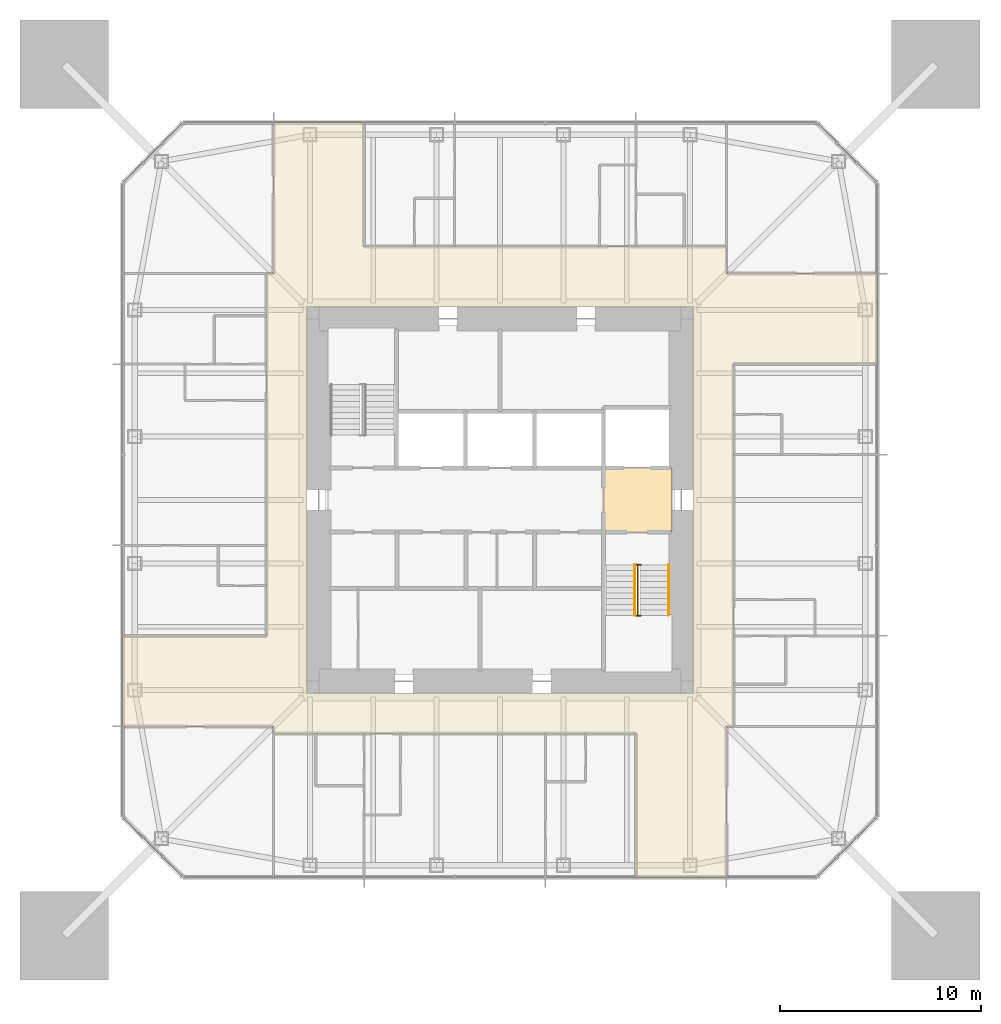
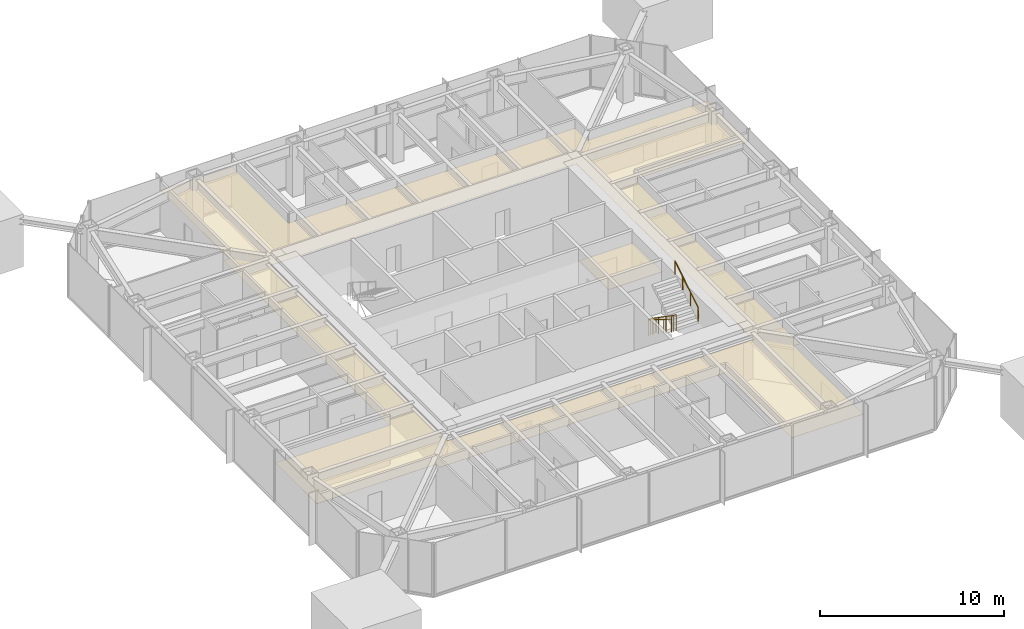
# One storey, part 10 of 11: 3 railings, 2 coverings.
"""IFC4 building model written with IfcOpenShell, lengths in metres."""

from ifc_helpers import new_model, si_unit, direction, frame, origin, origin_2d, place, context, subcontext, project, spatial, polyline, circle, outline, extrude, material, layer, layer_set, constituent, constituent_set, type_object, element, save


model = new_model("IFC4")

# Units and contexts
model_context = context("Model", 3, precision=1e-05, world=origin(), true_north=direction((0.0, 1.0)))
body_context = subcontext(model_context, "Body", "Model", "MODEL_VIEW")
ifc_project = project(units=[si_unit("LENGTHUNIT", "METRE"), si_unit("AREAUNIT", "SQUARE_METRE"), si_unit("VOLUMEUNIT", "CUBIC_METRE"), si_unit("PLANEANGLEUNIT", "RADIAN"), si_unit("MASSUNIT", "GRAM", prefix="KILO")], contexts=[model_context])

# Site, building, storey
site_placement = place(None, origin())
site = spatial("IfcSite", under=ifc_project, at=site_placement, CompositionType="ELEMENT")
building_placement = place(site_placement, origin())
building = spatial("IfcBuilding", under=site, at=building_placement, Name="Iwan Alto Co-Living Towers", CompositionType="ELEMENT")
storey_placement = place(building_placement, frame((0.0, 0.0, 174.0)))
storey = spatial("IfcBuildingStorey", under=building, at=storey_placement, Name="L47", CompositionType="ELEMENT", Elevation=174.0)

# Covering
ifc_material_1 = material(Name="Mineral fibre acoustic tiles on steel grid", Category="steel")
ifc_layer_1 = layer(ifc_material_1, 0.02001953125)
ifc_layer_set_1 = layer_set([ifc_layer_1], Name="ACOUSTIC TILE CEILING 20")
covering_type_1 = type_object("IfcCoveringType", Name="ACOUSTIC TILE CEILING 20", PredefinedType="CEILING", material=ifc_layer_set_1)
covering_1_placement = place(storey_placement, frame((0.0, 0.0, 2.60009765625)))
element("IfcCovering", 1, at=covering_1_placement, inside=storey, type_object=covering_type_1, Name="Ceiling Firefighting lobby L47", PredefinedType="CEILING", context=body_context, shape_type="SweptSolid", body=[
    extrude(outline(polyline([(5.14990234375, -1.60009765625), (5.14990234375, 1.60009765625), (8.550048828125, 1.60009765625), (8.550048828125, -1.60009765625), (5.14990234375, -1.60009765625)])), origin(), (0.0, 0.0, 1.0), 0.02001953125),
])

# Railings
ifc_material_2 = material(Name="Steel ASTM A500 Gr C", Category="steel")
ifc_constituent_1 = constituent(ifc_material_2, Name="Rails and posts", Category="Framing")
ifc_material_3 = material(Name="Steel ASTM A36", Category="steel")
ifc_constituent_2 = constituent(ifc_material_3, Name="Bar infill", Category="Infill")
ifc_constituent_set = constituent_set(constituents=[ifc_constituent_1, ifc_constituent_2], Name="STAIR GUARD 1100")
railing_type_1 = type_object("IfcRailingType", Name="STAIR GUARD 1100", PredefinedType="GUARDRAIL", material=ifc_constituent_set)
railing_1_placement = place(storey_placement, frame((6.85009765625, -3.219970703125, 0.0)))
element("IfcRailing", 2, at=railing_1_placement, inside=storey, type_object=railing_type_1, Name="Stair T1-S2 well guard L47", PredefinedType="GUARDRAIL", context=body_context, shape_type="SweptSolid", body=[
    extrude(circle(Radius=0.02392578125, at=origin_2d()), frame((0.0, 0.0, 1.076171875), z_axis=(0.0, -0.821372036852, 0.570392826987), x_axis=(1.0, 0.0, 0.0)), (0.0, 0.0, 1.0), 3.068115234375),
    extrude(circle(Radius=0.02392578125, at=origin_2d()), frame((-0.150146484375, 0.0, 1.076171875), z_axis=(1.0, 0.0, 0.0), x_axis=(0.0, 1.0, 0.0)), (0.0, 0.0, 1.0), 0.300048828125),
    extrude(circle(Radius=0.02392578125, at=origin_2d()), frame((-0.150146484375, -2.52001953125, 2.826171875), z_axis=(1.0, 0.0, 0.0), x_axis=(0.0, 1.0, 0.0)), (0.0, 0.0, 1.0), 0.300048828125),
    extrude(circle(Radius=0.02099609375, at=origin_2d()), origin(), (0.0, 0.0, 1.0), 1.052001953125),
    extrude(circle(Radius=0.02099609375, at=origin_2d()), frame((0.0, -0.840087890625, 0.583251953125)), (0.0, 0.0, 1.0), 1.052001953125),
    extrude(circle(Radius=0.02099609375, at=origin_2d()), frame((0.0, -1.679931640625, 1.166748046875)), (0.0, 0.0, 1.0), 1.052001953125),
    extrude(circle(Radius=0.02099609375, at=origin_2d()), frame((0.0, -2.52001953125, 1.75)), (0.0, 0.0, 1.0), 1.052001953125),
    extrude(circle(Radius=0.02099609375, at=origin_2d()), frame((-0.150146484375, 0.0, 0.0)), (0.0, 0.0, 1.0), 1.052001953125),
    extrude(circle(Radius=0.02099609375, at=origin_2d()), frame((0.14990234375, 0.0, 0.0)), (0.0, 0.0, 1.0), 1.052001953125),
    extrude(circle(Radius=0.02099609375, at=origin_2d()), frame((-0.150146484375, -2.52001953125, 1.75)), (0.0, 0.0, 1.0), 1.052001953125),
    extrude(circle(Radius=0.02099609375, at=origin_2d()), frame((0.14990234375, -2.52001953125, 1.75)), (0.0, 0.0, 1.0), 1.052001953125),
])
ifc_material_4 = material(Name="Steel ASTM A500 Gr C", Category="steel")
railing_type_2 = type_object("IfcRailingType", Name="STAIR HANDRAIL 900", PredefinedType="HANDRAIL", material=ifc_material_4)
railing_2_placement = place(storey_placement, frame((6.699951171875, -3.219970703125, 0.175048828125)))
element("IfcRailing", 3, at=railing_2_placement, inside=storey, type_object=railing_type_2, Name="Stair T1-S2 handrail 1 L47", PredefinedType="HANDRAIL", context=body_context, shape_type="SweptSolid", body=[
    extrude(circle(Radius=0.02392578125, at=origin_2d()), frame((0.0, 0.0, 0.8759765625), z_axis=(0.0, -0.848007534815, 0.529984170421), x_axis=(1.0, 0.0, 0.0)), (0.0, 0.0, 1.0), 2.9716796875),
    extrude(circle(Radius=0.02099609375, at=origin_2d()), origin(), (0.0, 0.0, 1.0), 0.851806640625),
    extrude(circle(Radius=0.02099609375, at=origin_2d()), frame((0.0, -0.840087890625, 0.52490234375)), (0.0, 0.0, 1.0), 0.851806640625),
    extrude(circle(Radius=0.02099609375, at=origin_2d()), frame((0.0, -1.679931640625, 1.050048828125)), (0.0, 0.0, 1.0), 0.851806640625),
    extrude(circle(Radius=0.02099609375, at=origin_2d()), frame((0.0, -2.52001953125, 1.574951171875)), (0.0, 0.0, 1.0), 0.851806640625),
])
railing_3_placement = place(storey_placement, frame((8.3798828125, -5.739990234375, 1.925048828125)))
element("IfcRailing", 4, at=railing_3_placement, inside=storey, type_object=railing_type_2, Name="Stair T1-S2 handrail 2 L47", PredefinedType="HANDRAIL", context=body_context, shape_type="SweptSolid", body=[
    extrude(circle(Radius=0.02392578125, at=origin_2d()), frame((0.0, 0.0, 0.8759765625), z_axis=(0.0, 0.848007534815, 0.529984170421), x_axis=(-1.0, 0.0, 0.0)), (0.0, 0.0, 1.0), 2.9716796875),
    extrude(circle(Radius=0.02099609375, at=origin_2d()), origin(), (0.0, 0.0, 1.0), 0.851806640625),
    extrude(circle(Radius=0.02099609375, at=origin_2d()), frame((0.0, 0.840087890625, 0.52490234375)), (0.0, 0.0, 1.0), 0.851806640625),
    extrude(circle(Radius=0.02099609375, at=origin_2d()), frame((0.0, 1.679931640625, 1.050048828125)), (0.0, 0.0, 1.0), 0.851806640625),
    extrude(circle(Radius=0.02099609375, at=origin_2d()), frame((0.0, 2.52001953125, 1.574951171875)), (0.0, 0.0, 1.0), 0.851806640625),
])

# Covering
ifc_material_5 = material(Name="Gypsum plasterboard on steel grid", Category="steel")
ifc_layer_2 = layer(ifc_material_5, 0.014892578125)
ifc_layer_set_2 = layer_set([ifc_layer_2], Name="SUSPENDED PLASTERBOARD CEILING 15")
covering_type_2 = type_object("IfcCoveringType", Name="SUSPENDED PLASTERBOARD CEILING 15", PredefinedType="CEILING", material=ifc_layer_set_2)
covering_2_placement = place(storey_placement, frame((0.0, 0.0, 2.60009765625)))
element("IfcCovering", 5, at=covering_2_placement, inside=storey, type_object=covering_type_2, Name="Ceiling Corridor L47", PredefinedType="CEILING", context=body_context, shape_type="SweptSolid", body=[
    extrude(outline(polyline([(-18.75, -11.25), (-18.75, -6.75), (-11.60009765625, -6.75), (-11.60009765625, 11.25), (-11.25, 11.25), (-11.25, 12.60009765625), (-11.25, 18.75), (-6.75, 18.75), (-6.75, 12.60009765625), (11.25, 12.60009765625), (11.25, 11.25), (11.60009765625, 11.25), (18.75, 11.25), (18.75, 6.75), (11.60009765625, 6.75), (11.60009765625, -11.25), (11.25, -11.25), (11.25, -11.60009765625), (11.25, -18.75), (6.75, -18.75), (6.75, -11.60009765625), (-11.25, -11.60009765625), (-11.25, -11.25), (-11.60009765625, -11.25), (-18.75, -11.25)]), holes=[polyline([(9.60009765625, 9.60009765625), (-9.60009765625, 9.60009765625), (-9.60009765625, -9.60009765625), (9.60009765625, -9.60009765625), (9.60009765625, 9.60009765625)])]), origin(), (0.0, 0.0, 1.0), 0.014892578125),
])

save(model, "model.ifc")
